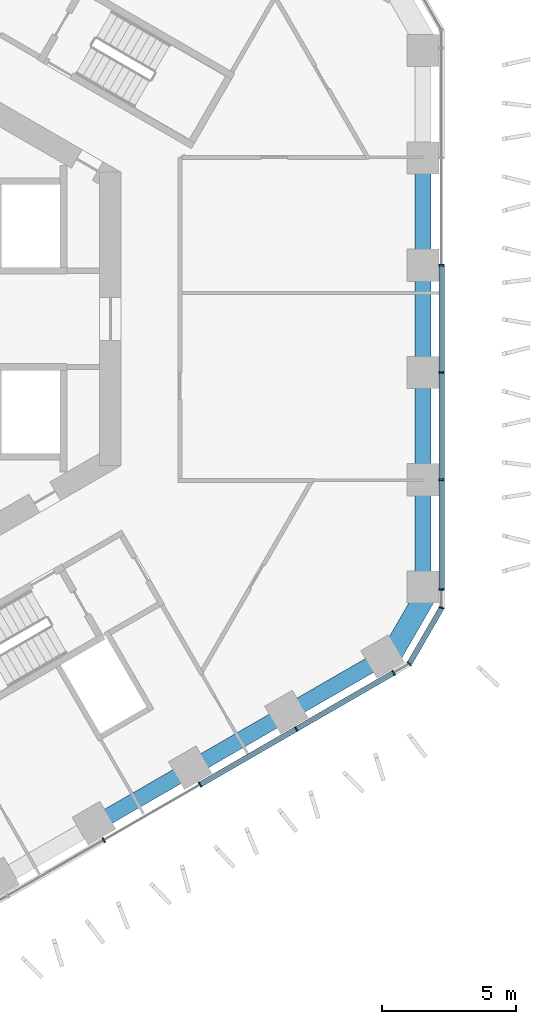
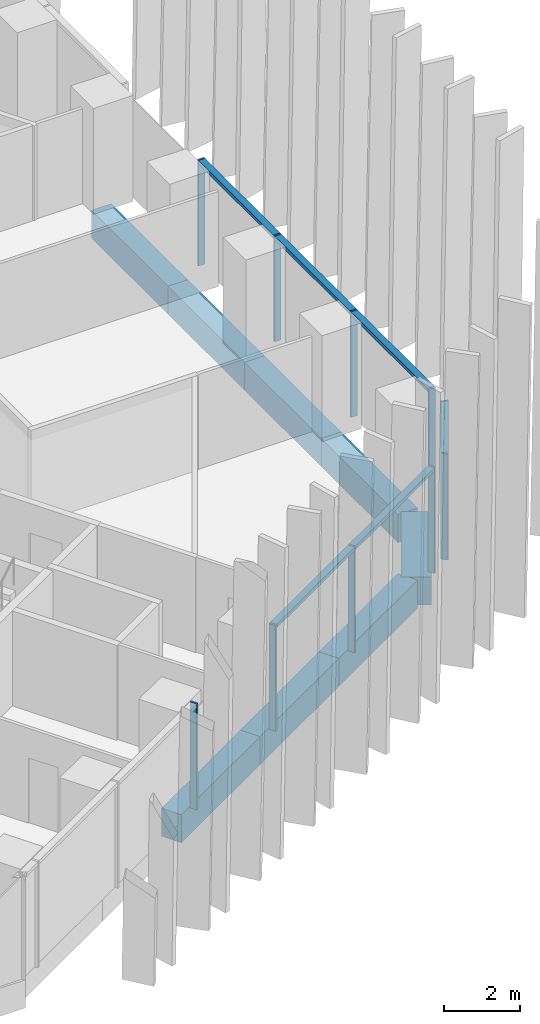
# One storey, part 4 of 20: 13 members, 8 beams, 3 elements without a shape of their own.
"""IFC4 building model written with IfcOpenShell, lengths in metres."""

import ifcopenshell
import ifcopenshell.guid

model = None  # the IFC model being written
_history = None  # IfcOwnerHistory: only IFC2X3 demands one
_inside = {}  # id of a spatial element -> (the spatial element, [elements in it])
_under = {}  # id of a project, library or spatial element -> (it, [spatial elements below it])
_declared = {}  # id of a project -> (the project, [libraries it declares])
_typed = {}  # id of a type object -> (the type object, [elements of that type])
_made_of = {}  # id of a material, layer set ... -> (it, [elements and type objects made of it])


def new_model(schema):
    """Start an empty IFC model of exactly this schema.

    Asked for "IFC4X3", IfcOpenShell would pick the latest addendum, in which some entities
    have other attributes; the version numbers below select the first issue.
    IFC2X3 requires an IfcOwnerHistory on every rooted entity: one is made here for all.
    """
    global model, _history
    if schema == "IFC4X3":
        model = ifcopenshell.file(schema_version=(4, 3, 0, 0))
    else:
        model = ifcopenshell.file(schema=schema)
    _inside.clear()
    _under.clear()
    _declared.clear()
    _typed.clear()
    _made_of.clear()
    _history = None
    if model.schema == "IFC2X3":
        org = make("IfcOrganization", Name="unknown")
        user = make(
            "IfcPersonAndOrganization",
            ThePerson=make("IfcPerson", FamilyName="unknown"),
            TheOrganization=org,
        )
        app = make(
            "IfcApplication",
            ApplicationDeveloper=org,
            Version="unknown",
            ApplicationFullName="unknown",
            ApplicationIdentifier="unknown",
        )
        _history = make(
            "IfcOwnerHistory",
            OwningUser=user,
            OwningApplication=app,
            ChangeAction="ADDED",
            CreationDate=0,
        )
    return model


def make(cls, **values):
    """One entity of the class cls with the attributes given. An attribute that is None is left unset."""
    return model.create_entity(
        cls, **{name: value for name, value in values.items() if value is not None}
    )


def rooted(cls, **values):
    """An entity with a GlobalId (a new one), such as an element, a storey or a relation."""
    return make(cls, GlobalId=ifcopenshell.guid.new(), OwnerHistory=_history, **values)


def si_unit(unit_type, name, prefix=None):
    """IfcSIUnit, for example si_unit("LENGTHUNIT", "METRE", prefix="MILLI")."""
    return make("IfcSIUnit", UnitType=unit_type, Prefix=prefix, Name=name)


def assignment(units):
    """IfcUnitAssignment: the units of a project."""
    return None if units is None else make("IfcUnitAssignment", Units=units)


def point(xyz):
    """IfcCartesianPoint."""
    return None if xyz is None else make("IfcCartesianPoint", Coordinates=xyz)


def direction(xyz):
    """IfcDirection."""
    return None if xyz is None else make("IfcDirection", DirectionRatios=xyz)


def frame(location, z_axis=None, x_axis=None):
    """IfcAxis2Placement3D, a coordinate frame: its origin and axes. An axis left out is left unset."""
    return make(
        "IfcAxis2Placement3D",
        Location=point(location),
        Axis=direction(z_axis),
        RefDirection=direction(x_axis),
    )


def frame_2d(location, x_axis=None):
    """IfcAxis2Placement2D, a coordinate frame in the plane: its origin and x axis."""
    return make(
        "IfcAxis2Placement2D", Location=point(location), RefDirection=direction(x_axis)
    )


def origin():
    """The frame at (0, 0, 0) with its axes left unset."""
    return frame((0.0, 0.0, 0.0))


def origin_2d():
    """The frame at (0, 0) in the plane with its x axis left unset."""
    return frame_2d((0.0, 0.0))


def place(relative_to, where):
    """IfcLocalPlacement: puts the frame where relative to a parent placement (None: the world)."""
    return make(
        "IfcLocalPlacement", PlacementRelTo=relative_to, RelativePlacement=where
    )


def context(
    kind, dimensions, precision=None, world=None, true_north=None, identifier=None
):
    """IfcGeometricRepresentationContext, for example the 3D "Model" context."""
    return make(
        "IfcGeometricRepresentationContext",
        ContextIdentifier=identifier,
        ContextType=kind,
        CoordinateSpaceDimension=dimensions,
        Precision=precision,
        WorldCoordinateSystem=world,
        TrueNorth=true_north,
    )


def subcontext(parent, identifier, kind, view, scale=None):
    """IfcGeometricRepresentationSubContext, for example "Body" below "Model"."""
    return make(
        "IfcGeometricRepresentationSubContext",
        ContextIdentifier=identifier,
        ContextType=kind,
        ParentContext=parent,
        TargetScale=scale,
        TargetView=view,
    )


def project(units=None, contexts=None):
    """IfcProject with its units and contexts."""
    return rooted(
        "IfcProject",
        Name="project",
        RepresentationContexts=contexts,
        UnitsInContext=assignment(units),
    )


def spatial(cls, under=None, at=None, **own):
    """A site, building, storey or space (cls), placed at a placement, below another one or the project."""
    s = rooted(cls, ObjectPlacement=at, **own)
    if under is not None:
        _under.setdefault(under.id(), (under, []))[1].append(s)
    return s


def profile(cls, at=None, kind="AREA", **sizes):
    """A parametric profile (cls). Its sizes go by their IFC names, for example OverallWidth=200.0."""
    return make(cls, ProfileType=kind, Position=at, **sizes)


def rectangle(**sizes):
    """IfcRectangleProfileDef."""
    return profile("IfcRectangleProfileDef", **sizes)


def extrude(swept, where, along, depth):
    """IfcExtrudedAreaSolid: the profile swept, set in the frame where, extruded along a direction by depth."""
    return make(
        "IfcExtrudedAreaSolid",
        SweptArea=swept,
        Position=where,
        ExtrudedDirection=direction(along),
        Depth=depth,
    )


def shape(context_of_items, identifier, shape_type, items):
    """IfcShapeRepresentation: the items that make up one representation, for example the "Body"."""
    return make(
        "IfcShapeRepresentation",
        ContextOfItems=context_of_items,
        RepresentationIdentifier=identifier,
        RepresentationType=shape_type,
        Items=items,
    )


def material(Name=None, Category=None):
    """IfcMaterial."""
    return make("IfcMaterial", Name=Name, Category=Category)


def layer(
    of_material, thickness, ventilated=None, Name=None, Category=None, Priority=None
):
    """IfcMaterialLayer: one layer of a wall or slab, of a material (None: an air gap)."""
    return make(
        "IfcMaterialLayer",
        Material=of_material,
        LayerThickness=thickness,
        IsVentilated=ventilated,
        Name=Name,
        Category=Category,
        Priority=Priority,
    )


def layer_set(layers, Name=None):
    """IfcMaterialLayerSet."""
    return make("IfcMaterialLayerSet", MaterialLayers=layers, LayerSetName=Name)


def material_profile(
    of_material, cross_section, Name=None, Category=None, Priority=None
):
    """IfcMaterialProfile: a cross section and its material."""
    return make(
        "IfcMaterialProfile",
        Name=Name,
        Material=of_material,
        Profile=cross_section,
        Priority=Priority,
        Category=Category,
    )


def profile_set(profiles, Name=None, composite=None):
    """IfcMaterialProfileSet."""
    return make(
        "IfcMaterialProfileSet",
        Name=Name,
        MaterialProfiles=profiles,
        CompositeProfile=composite,
    )


def made_of(thing, what):
    """Note that an element or type object is made of a material, layer set ...; save() writes the relation."""
    if what is not None:
        _made_of.setdefault(what.id(), (what, []))[1].append(thing)
    return thing


def type_object(cls, material=None, **own):
    """A type object (cls), such as IfcWallType, which elements share."""
    return made_of(rooted(cls, **own), material)


def element(
    cls,
    number,
    at=None,
    inside=None,
    cuts=None,
    type_object=None,
    material=None,
    context=None,
    identifier="Body",
    shape_type=None,
    held_by="IfcProductDefinitionShape",
    body=None,
    shapes=None,
    **own,
):
    """One element of the class cls, such as IfcWall. Its Tag is "e" and its number.

    at: its placement. inside: the storey or other place that contains it. cuts: it is an
    opening in that element (IfcRelVoidsElement). A single representation is given by context,
    identifier, shape_type and body (its items); several are given by shapes. held_by: the class
    of the entity that holds the representations. save() writes the other relations.
    """
    e = rooted(cls, Tag="e%d" % number, ObjectPlacement=at, **own)
    if body is not None:
        shapes = [shape(context, identifier, shape_type, body)]
    if shapes is not None:
        e.Representation = make(held_by, Representations=shapes)
    if inside is not None:
        _inside.setdefault(inside.id(), (inside, []))[1].append(e)
    if cuts is not None:
        rooted(
            "IfcRelVoidsElement", RelatingBuildingElement=cuts, RelatedOpeningElement=e
        )
    if type_object is not None:
        _typed.setdefault(type_object.id(), (type_object, []))[1].append(e)
    return made_of(e, material)


def aggregate(whole, parts):
    """IfcRelAggregates: a whole, such as a stair, and the parts it consists of."""
    return rooted("IfcRelAggregates", RelatingObject=whole, RelatedObjects=parts)


def save(model, path):
    """Write the relations noted so far, then the file.

    IfcRelAggregates (storeys below a building ...), IfcRelContainedInSpatialStructure (elements
    in a storey), IfcRelDefinesByType, IfcRelAssociatesMaterial and IfcRelDeclares: one each for
    every whole, place, type object, material and project.
    """
    for whole, parts in _under.values():
        aggregate(whole, parts)
    for where, things in _inside.values():
        rooted(
            "IfcRelContainedInSpatialStructure",
            RelatedElements=things,
            RelatingStructure=where,
        )
    for kind, things in _typed.values():
        rooted("IfcRelDefinesByType", RelatedObjects=things, RelatingType=kind)
    for what, things in _made_of.values():
        rooted("IfcRelAssociatesMaterial", RelatedObjects=things, RelatingMaterial=what)
    for by, libraries in _declared.values():
        rooted("IfcRelDeclares", RelatingContext=by, RelatedDefinitions=libraries)
    model.write(path)


model = new_model("IFC4")

# Units and contexts
model_context = context("Model", 3, precision=1e-05, world=origin(), true_north=direction((0.0, 1.0)))
body_context = subcontext(model_context, "Body", "Model", "MODEL_VIEW")
ifc_project = project(units=[si_unit("LENGTHUNIT", "METRE"), si_unit("AREAUNIT", "SQUARE_METRE"), si_unit("VOLUMEUNIT", "CUBIC_METRE"), si_unit("PLANEANGLEUNIT", "RADIAN"), si_unit("MASSUNIT", "GRAM", prefix="KILO")], contexts=[model_context])

# Site, building, storey
site_placement = place(None, origin())
site = spatial("IfcSite", under=ifc_project, at=site_placement, CompositionType="ELEMENT")
building_placement = place(site_placement, origin())
building = spatial("IfcBuilding", under=site, at=building_placement, Name="Ayvan Gate Tower", CompositionType="ELEMENT")
storey_placement = place(building_placement, frame((0.0, 0.0, 35.699951171875)))
storey = spatial("IfcBuildingStorey", under=building, at=storey_placement, Name="L08", CompositionType="ELEMENT", Elevation=35.699951171875)

# Beams
ifc_material_1 = material(Name="Concrete C40/50", Category="concrete")
ifc_material_profile_1 = material_profile(ifc_material_1, rectangle(XDim=0.800048828125, YDim=0.89990234375, at=origin_2d()), Name="RC 800x900")
ifc_profile_set_1 = profile_set([ifc_material_profile_1], Name="Concrete C40/50")
beam_type_1 = type_object("IfcBeamType", Name="Corner spandrel beam RC 800x900 C40/50", PredefinedType="BEAM", material=ifc_profile_set_1)
beam_1_placement = place(storey_placement, frame((19.47509765625, -12.78662109375, -0.800048828125), z_axis=(0.499990139034, 0.866031096941, 0.0), x_axis=(-0.866031096941, 0.499990139034, 0.0)))
element("IfcBeam", 1, at=beam_1_placement, inside=storey, type_object=beam_type_1, Name="SB-L08-36", PredefinedType="BEAM", context=body_context, shape_type="SweptSolid", body=[
    extrude(rectangle(XDim=0.800048828125, YDim=0.89990234375, at=origin_2d()), origin(), (0.0, 0.0, 1.0), 3.0),
])
ifc_material_profile_2 = material_profile(ifc_material_1, rectangle(XDim=0.60009765625, YDim=0.89990234375, at=origin_2d()), Name="RC 600x900")
ifc_profile_set_2 = profile_set([ifc_material_profile_2], Name="Concrete C40/50")
beam_type_2 = type_object("IfcBeamType", Name="Spandrel beam RC 600x900 C40/50", PredefinedType="BEAM", material=ifc_profile_set_2)
beam_2_placement = place(storey_placement, frame((20.78466796875, -10.078369140625, -0.800048828125), z_axis=(0.0, 1.0, 0.0), x_axis=(-1.0, 0.0, 0.0)))
element("IfcBeam", 2, at=beam_2_placement, inside=storey, type_object=beam_type_2, Name="SB-L08-1", PredefinedType="BEAM", context=body_context, shape_type="SweptSolid", body=[
    extrude(rectangle(XDim=0.60009765625, YDim=0.89990234375, at=origin_2d()), origin(), (0.0, 0.0, 1.0), 4.03125),
])
beam_3_placement = place(storey_placement, frame((20.78466796875, -6.047119140625, -0.800048828125), z_axis=(0.0, 1.0, 0.0), x_axis=(-1.0, 0.0, 0.0)))
element("IfcBeam", 3, at=beam_3_placement, inside=storey, type_object=beam_type_2, Name="SB-L08-2", PredefinedType="BEAM", context=body_context, shape_type="SweptSolid", body=[
    extrude(rectangle(XDim=0.60009765625, YDim=0.89990234375, at=origin_2d()), origin(), (0.0, 0.0, 1.0), 4.031494140625),
])
beam_4_placement = place(storey_placement, frame((20.78466796875, -2.015625, -0.800048828125), z_axis=(0.0, 1.0, 0.0), x_axis=(-1.0, 0.0, 0.0)))
element("IfcBeam", 4, at=beam_4_placement, inside=storey, type_object=beam_type_2, Name="SB-L08-3", PredefinedType="BEAM", context=body_context, shape_type="SweptSolid", body=[
    extrude(rectangle(XDim=0.60009765625, YDim=0.89990234375, at=origin_2d()), origin(), (0.0, 0.0, 1.0), 4.03125),
])
beam_5_placement = place(storey_placement, frame((20.78466796875, 2.015625, -0.800048828125), z_axis=(0.0, 1.0, 0.0), x_axis=(-1.0, 0.0, 0.0)))
element("IfcBeam", 5, at=beam_5_placement, inside=storey, type_object=beam_type_2, Name="SB-L08-4", PredefinedType="BEAM", context=body_context, shape_type="SweptSolid", body=[
    extrude(rectangle(XDim=0.60009765625, YDim=0.89990234375, at=origin_2d()), origin(), (0.0, 0.0, 1.0), 4.031494140625),
])
beam_6_placement = place(storey_placement, frame((8.515380859375, -18.894287109375, -0.800048828125), z_axis=(0.866009039668, 0.500028342409, 0.0), x_axis=(-0.500028342409, 0.866009039668, 0.0)))
element("IfcBeam", 6, at=beam_6_placement, inside=storey, type_object=beam_type_2, Name="SB-L08-33", PredefinedType="BEAM", context=body_context, shape_type="SweptSolid", body=[
    extrude(rectangle(XDim=0.60009765625, YDim=0.89990234375, at=origin_2d()), origin(), (0.0, 0.0, 1.0), 4.145263671875),
])
beam_7_placement = place(storey_placement, frame((12.105224609375, -16.821533203125, -0.800048828125), z_axis=(0.866019818373, 0.500009674092, 0.0), x_axis=(-0.500009674092, 0.866019818373, 0.0)))
element("IfcBeam", 7, at=beam_7_placement, inside=storey, type_object=beam_type_2, Name="SB-L08-34", PredefinedType="BEAM", context=body_context, shape_type="SweptSolid", body=[
    extrude(rectangle(XDim=0.60009765625, YDim=0.89990234375, at=origin_2d()), origin(), (0.0, 0.0, 1.0), 4.14501953125),
])
beam_8_placement = place(storey_placement, frame((15.69482421875, -14.7490234375, -0.800048828125), z_axis=(0.866034543039, 0.499984170012, 0.0), x_axis=(-0.499984170012, 0.866034543039, 0.0)))
element("IfcBeam", 8, at=beam_8_placement, inside=storey, type_object=beam_type_2, Name="SB-L08-35", PredefinedType="BEAM", context=body_context, shape_type="SweptSolid", body=[
    extrude(rectangle(XDim=0.60009765625, YDim=0.89990234375, at=origin_2d()), origin(), (0.0, 0.0, 1.0), 4.145263671875),
])

# Curtain wall, members
ifc_material_2 = material(Name="Bronze anodised aluminium", Category="aluminium")
ifc_layer_1 = layer(ifc_material_2, 0.199951171875)
ifc_layer_set_1 = layer_set([ifc_layer_1], Name="Bronze anodised aluminium")
curtain_wall_type_1 = type_object("IfcCurtainWallType", Name="Stick curtain wall CW-1", PredefinedType="NOTDEFINED", material=ifc_layer_set_1)
curtain_wall_1_placement = place(storey_placement, origin())
curtain_wall_1 = element("IfcCurtainWall", 9, at=curtain_wall_1_placement, inside=storey, type_object=curtain_wall_type_1, Name="Stick curtain wall CW-1 L08", PredefinedType="NOTDEFINED")
ifc_material_profile_3 = material_profile(ifc_material_2, rectangle(XDim=0.199951171875, YDim=0.06005859375, at=origin_2d()), Name="Stick curtain wall CW-1 mullion 200 x 60")
ifc_profile_set_3 = profile_set([ifc_material_profile_3], Name="Bronze anodised aluminium")
member_type_1 = type_object("IfcMemberType", Name="Stick curtain wall CW-1 mullion 200 x 60", PredefinedType="MULLION", material=ifc_profile_set_3)
member_1_placement = place(storey_placement, frame((8.853759765625, -19.490966796875, 0.0), z_axis=(0.0, 0.0, 1.0), x_axis=(0.5, -0.866025403784, 0.0)))
member_1 = element("IfcMember", 10, at=member_1_placement, type_object=member_type_1, Name="CW-1 mullion 3", PredefinedType="MULLION", context=body_context, shape_type="SweptSolid", body=[
    extrude(rectangle(XDim=0.199951171875, YDim=0.06005859375, at=origin_2d()), origin(), (0.0, 0.0, 1.0), 3.400146484375),
])
member_2_placement = place(storey_placement, frame((12.4521484375, -17.41357421875, 0.0), z_axis=(0.0, 0.0, 1.0), x_axis=(0.5, -0.866025403784, 0.0)))
member_2 = element("IfcMember", 11, at=member_2_placement, type_object=member_type_1, Name="CW-1 mullion 4", PredefinedType="MULLION", context=body_context, shape_type="SweptSolid", body=[
    extrude(rectangle(XDim=0.199951171875, YDim=0.06005859375, at=origin_2d()), origin(), (0.0, 0.0, 1.0), 3.400146484375),
])
member_3_placement = place(storey_placement, frame((16.05126953125, -15.33544921875, 0.0), z_axis=(0.0, 0.0, 1.0), x_axis=(0.5, -0.866025403784, 0.0)))
member_3 = element("IfcMember", 12, at=member_3_placement, type_object=member_type_1, Name="CW-1 mullion 5", PredefinedType="MULLION", context=body_context, shape_type="SweptSolid", body=[
    extrude(rectangle(XDim=0.199951171875, YDim=0.06005859375, at=origin_2d()), origin(), (0.0, 0.0, 1.0), 3.400146484375),
])
member_4_placement = place(storey_placement, frame((19.6884765625, -13.235595703125, 0.0), z_axis=(0.0, 0.0, 1.0), x_axis=(0.5, -0.866025403784, 0.0)))
member_4 = element("IfcMember", 13, at=member_4_placement, type_object=member_type_1, Name="CW-1 mullion 6", PredefinedType="MULLION", context=body_context, shape_type="SweptSolid", body=[
    extrude(rectangle(XDim=0.199951171875, YDim=0.06005859375, at=origin_2d()), origin(), (0.0, 0.0, 1.0), 3.400146484375),
])

curtain_wall_2_placement = place(storey_placement, origin())
curtain_wall_2 = element("IfcCurtainWall", 14, at=curtain_wall_2_placement, inside=storey, type_object=curtain_wall_type_1, Name="Stick curtain wall CW-1 L08", PredefinedType="NOTDEFINED")
member_5_placement = place(storey_placement, frame((21.484619140625, -10.12451171875, 0.0), z_axis=(0.0, 0.0, 1.0), x_axis=(1.0, 0.0, 0.0)))
member_5 = element("IfcMember", 15, at=member_5_placement, type_object=member_type_1, Name="CW-1 mullion 1", PredefinedType="MULLION", context=body_context, shape_type="SweptSolid", body=[
    extrude(rectangle(XDim=0.199951171875, YDim=0.06005859375, at=origin_2d()), origin(), (0.0, 0.0, 1.0), 3.400146484375),
])
member_6_placement = place(storey_placement, frame((21.484619140625, -6.0166015625, 0.0), z_axis=(0.0, 0.0, 1.0), x_axis=(1.0, 0.0, 0.0)))
member_6 = element("IfcMember", 16, at=member_6_placement, type_object=member_type_1, Name="CW-1 mullion 2", PredefinedType="MULLION", context=body_context, shape_type="SweptSolid", body=[
    extrude(rectangle(XDim=0.199951171875, YDim=0.06005859375, at=origin_2d()), origin(), (0.0, 0.0, 1.0), 3.400146484375),
])
member_7_placement = place(storey_placement, frame((21.484619140625, -2.005615234375, 0.0), z_axis=(0.0, 0.0, 1.0), x_axis=(1.0, 0.0, 0.0)))
member_7 = element("IfcMember", 17, at=member_7_placement, type_object=member_type_1, Name="CW-1 mullion 3", PredefinedType="MULLION", context=body_context, shape_type="SweptSolid", body=[
    extrude(rectangle(XDim=0.199951171875, YDim=0.06005859375, at=origin_2d()), origin(), (0.0, 0.0, 1.0), 3.400146484375),
])
member_8_placement = place(storey_placement, frame((21.484619140625, 2.00537109375, 0.0), z_axis=(0.0, 0.0, 1.0), x_axis=(1.0, 0.0, 0.0)))
member_8 = element("IfcMember", 18, at=member_8_placement, type_object=member_type_1, Name="CW-1 mullion 4", PredefinedType="MULLION", context=body_context, shape_type="SweptSolid", body=[
    extrude(rectangle(XDim=0.199951171875, YDim=0.06005859375, at=origin_2d()), origin(), (0.0, 0.0, 1.0), 3.400146484375),
])

# Member
ifc_material_profile_4 = material_profile(ifc_material_2, rectangle(XDim=0.199951171875, YDim=0.1201171875, at=origin_2d()), Name="Stick curtain wall CW-1 transom 200 x 120")
ifc_profile_set_4 = profile_set([ifc_material_profile_4], Name="Bronze anodised aluminium")
member_type_2 = type_object("IfcMemberType", Name="Stick curtain wall CW-1 transom 200 x 120", PredefinedType="USERDEFINED", material=ifc_profile_set_4)
member_9_placement = place(storey_placement, frame((12.47802734375, -17.3984375, 3.340087890625), z_axis=(0.866031280681, 0.499989820779, 0.0), x_axis=(-0.499989820779, 0.866031280681, 0.0)))
member_9 = element("IfcMember", 19, at=member_9_placement, type_object=member_type_2, Name="CW-1 transom 2", ObjectType="TRANSOM", PredefinedType="USERDEFINED", context=body_context, shape_type="SweptSolid", body=[
    extrude(rectangle(XDim=0.199951171875, YDim=0.1201171875, at=origin_2d()), origin(), (0.0, 0.0, 1.0), 8.325927734375),
])

aggregate(curtain_wall_1, [member_1, member_2, member_3, member_4, member_9])

member_10_placement = place(storey_placement, frame((21.484619140625, -10.12451171875, 3.340087890625), z_axis=(0.0, 1.0, 0.0), x_axis=(-1.0, 0.0, 0.0)))
member_10 = element("IfcMember", 20, at=member_10_placement, type_object=member_type_2, Name="CW-1 transom 1", ObjectType="TRANSOM", PredefinedType="USERDEFINED", context=body_context, shape_type="SweptSolid", body=[
    extrude(rectangle(XDim=0.199951171875, YDim=0.1201171875, at=origin_2d()), origin(), (0.0, 0.0, 1.0), 12.10009765625),
])

aggregate(curtain_wall_2, [member_5, member_6, member_7, member_8, member_10])

# Curtain wall, members
ifc_layer_2 = layer(ifc_material_2, 0.199951171875)
ifc_layer_set_2 = layer_set([ifc_layer_2], Name="Bronze anodised aluminium")
curtain_wall_type_2 = type_object("IfcCurtainWallType", Name="Stick curtain wall CW-6", PredefinedType="NOTDEFINED", material=ifc_layer_set_2)
curtain_wall_3_placement = place(storey_placement, origin())
curtain_wall_3 = element("IfcCurtainWall", 21, at=curtain_wall_3_placement, inside=storey, type_object=curtain_wall_type_2, Name="Stick curtain wall CW-6 L08", PredefinedType="NOTDEFINED")
ifc_material_profile_5 = material_profile(ifc_material_2, rectangle(XDim=0.199951171875, YDim=0.050048828125, at=origin_2d()), Name="Stick curtain wall CW-6 mullion 200 x 50")
ifc_profile_set_5 = profile_set([ifc_material_profile_5], Name="Bronze anodised aluminium")
member_type_3 = type_object("IfcMemberType", Name="Stick curtain wall CW-6 mullion 200 x 50", PredefinedType="MULLION", material=ifc_profile_set_5)
member_11_placement = place(storey_placement, frame((20.27734375, -12.8955078125, 0.0), z_axis=(0.0, 0.0, 1.0), x_axis=(0.707106781187, -0.707106781187, 0.0)))
member_11 = element("IfcMember", 22, at=member_11_placement, type_object=member_type_3, Name="CW-6 mullion 2", PredefinedType="MULLION", context=body_context, shape_type="SweptSolid", body=[
    extrude(rectangle(XDim=0.199951171875, YDim=0.050048828125, at=origin_2d()), origin(), (0.0, 0.0, 1.0), 3.400146484375),
])
member_12_placement = place(storey_placement, frame((21.484619140625, -10.804443359375, 0.0), z_axis=(0.0, 0.0, 1.0), x_axis=(0.965925826289, -0.258819045103, 0.0)))
member_12 = element("IfcMember", 23, at=member_12_placement, type_object=member_type_3, Name="CW-6 mullion 3", PredefinedType="MULLION", context=body_context, shape_type="SweptSolid", body=[
    extrude(rectangle(XDim=0.199951171875, YDim=0.050048828125, at=origin_2d()), origin(), (0.0, 0.0, 1.0), 3.400146484375),
])
ifc_material_profile_6 = material_profile(ifc_material_2, rectangle(XDim=0.199951171875, YDim=0.1201171875, at=origin_2d()), Name="Stick curtain wall CW-6 transom 200 x 120")
ifc_profile_set_6 = profile_set([ifc_material_profile_6], Name="Bronze anodised aluminium")
member_type_4 = type_object("IfcMemberType", Name="Stick curtain wall CW-6 transom 200 x 120", PredefinedType="USERDEFINED", material=ifc_profile_set_6)
member_13_placement = place(storey_placement, frame((20.289794921875, -12.8740234375, 3.340087890625), z_axis=(0.500014398087, 0.866017090885, 0.0), x_axis=(-0.866017090885, 0.500014398087, 0.0)))
member_13 = element("IfcMember", 24, at=member_13_placement, type_object=member_type_4, Name="CW-6 transom 2", ObjectType="TRANSOM", PredefinedType="USERDEFINED", context=body_context, shape_type="SweptSolid", body=[
    extrude(rectangle(XDim=0.199951171875, YDim=0.1201171875, at=origin_2d()), origin(), (0.0, 0.0, 1.0), 2.36474609375),
])
aggregate(curtain_wall_3, [member_11, member_12, member_13])

save(model, "model.ifc")
